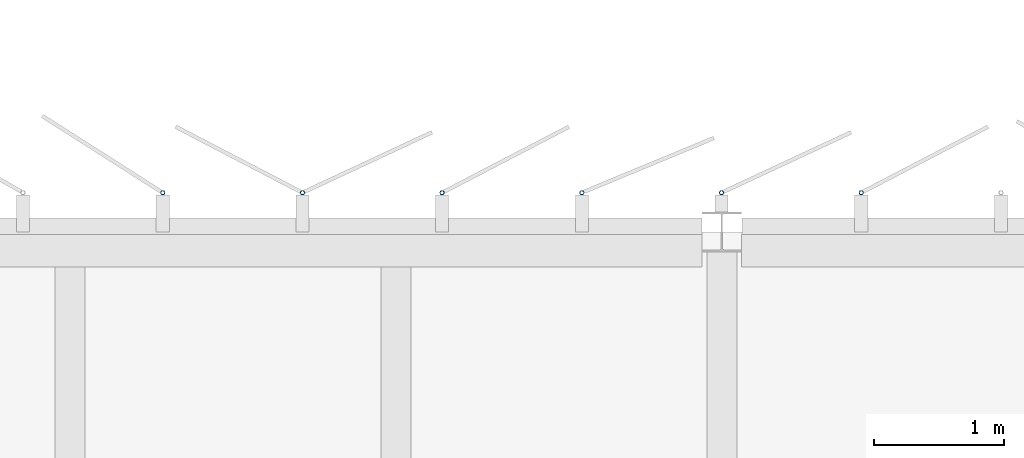
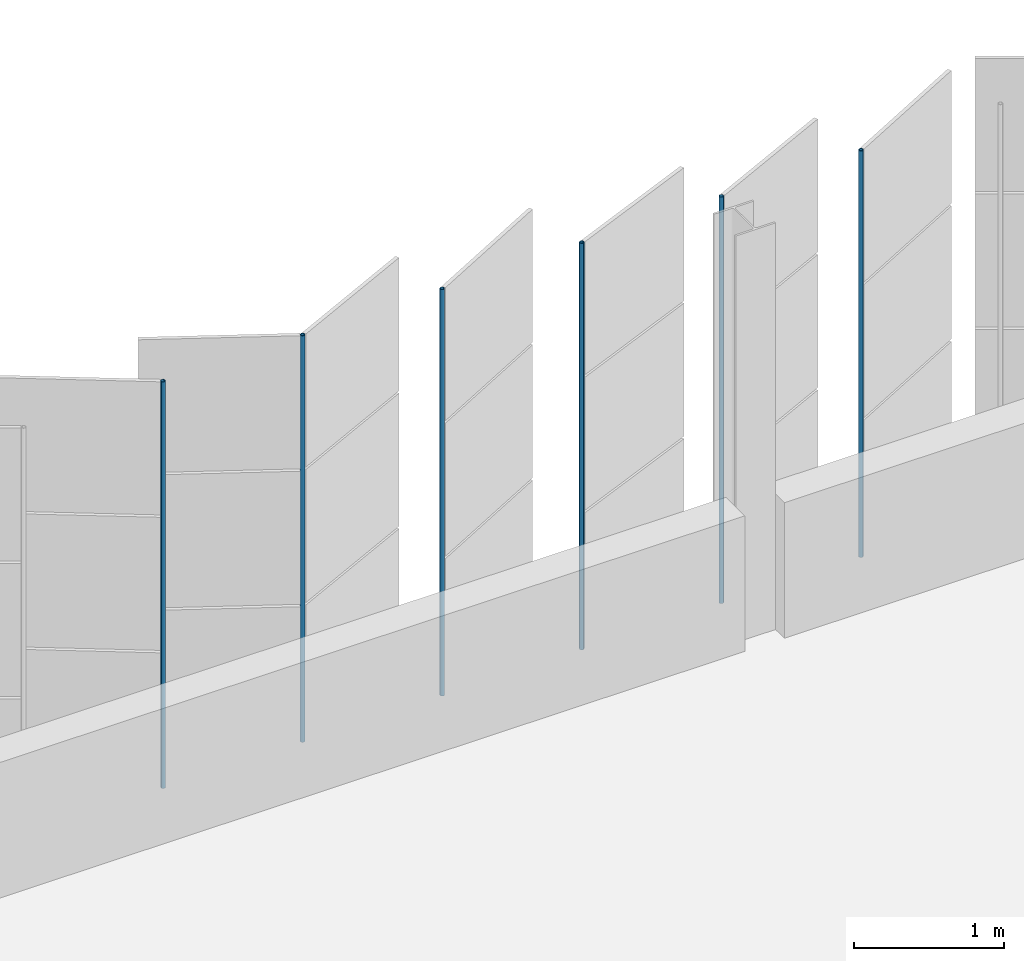
# One storey, part 150 of 199: 6 discrete accessories.
"""IFC4 building model written with IfcOpenShell, lengths in metres."""

from ifc_helpers import new_model, si_unit, direction, frame, origin, origin_2d, place, context, subcontext, project, spatial, hollow_circle, extrude, material, material_profile, profile_set, type_object, element, save


model = new_model("IFC4")

# Units and contexts
model_context = context("Model", 3, precision=1e-05, world=origin(), true_north=direction((0.0, 1.0)))
body_context = subcontext(model_context, "Body", "Model", "MODEL_VIEW")
ifc_project = project(units=[si_unit("LENGTHUNIT", "METRE"), si_unit("AREAUNIT", "SQUARE_METRE"), si_unit("VOLUMEUNIT", "CUBIC_METRE"), si_unit("PLANEANGLEUNIT", "RADIAN"), si_unit("MASSUNIT", "GRAM", prefix="KILO")], contexts=[model_context])

# Site, building, storey
site_placement = place(None, origin())
site = spatial("IfcSite", under=ifc_project, at=site_placement, CompositionType="ELEMENT")
building_placement = place(site_placement, origin())
building = spatial("IfcBuilding", under=site, at=building_placement, Name="Parallax Yard Mobility Hub", CompositionType="ELEMENT")
storey_placement = place(building_placement, frame((0.0, 0.0, 9.89990234375)))
storey = spatial("IfcBuildingStorey", under=building, at=storey_placement, Name="L03", CompositionType="ELEMENT", Elevation=9.89990234375)

# Discrete accessories
ifc_material = material(Name="Steel ASTM A500 Gr C, hot-dip galvanised", Category="steel")
ifc_material_profile = material_profile(ifc_material, hollow_circle(Radius=0.016845703125, WallThickness=0.003173828125, at=origin_2d()), Name="CHS 33.7x3.2")
ifc_profile_set = profile_set([ifc_material_profile], Name="Steel ASTM A500 Gr C, hot-dip galvanised")
discrete_accessory_type = type_object("IfcDiscreteAccessoryType", Name="Hinge post CHS 33.7x3.2", PredefinedType="BRACKET", material=ifc_profile_set)
for number, where, z_axis, x_axis, name in (
    (1, (136.069091796875, 142.800048828125, 0.0), (0.0, 0.0, 1.0), (1.0, 0.0, 0.0), "Hinge post bay 55.7 level L03"),
    (2, (134.997314453125, 142.800048828125, 0.0), (0.0, 0.0, 1.0), (1.0, 0.0, 0.0), "Hinge post bay 56.1 level L03"),
    (3, (133.92578125, 142.800048828125, 0.0), (0.0, 0.0, 1.0), (1.0, 0.0, 0.0), "Hinge post bay 56.2 level L03"),
    (4, (132.854248046875, 142.800048828125, 0.0), (0.0, 0.0, 1.0), (1.0, 0.0, 0.0), "Hinge post bay 56.3 level L03"),
    (5, (131.78271484375, 142.800048828125, 0.0), (0.0, 0.0, 1.0), (1.0, 0.0, 0.0), "Hinge post bay 56.4 level L03"),
    (6, (130.711181640625, 142.800048828125, 0.0), (0.0, 0.0, 1.0), (1.0, 0.0, 0.0), "Hinge post bay 56.5 level L03"),
):
    element("IfcDiscreteAccessory", number, at=place(storey_placement, frame(where, z_axis=z_axis, x_axis=x_axis)), inside=storey, type_object=discrete_accessory_type, Name=name, PredefinedType="BRACKET", context=body_context, shape_type="SweptSolid", body=[
        extrude(hollow_circle(Radius=0.016845703125, WallThickness=0.003173828125, at=origin_2d()), origin(), (0.0, 0.0, 1.0), 3.300048828125),
    ])

save(model, "model.ifc")
